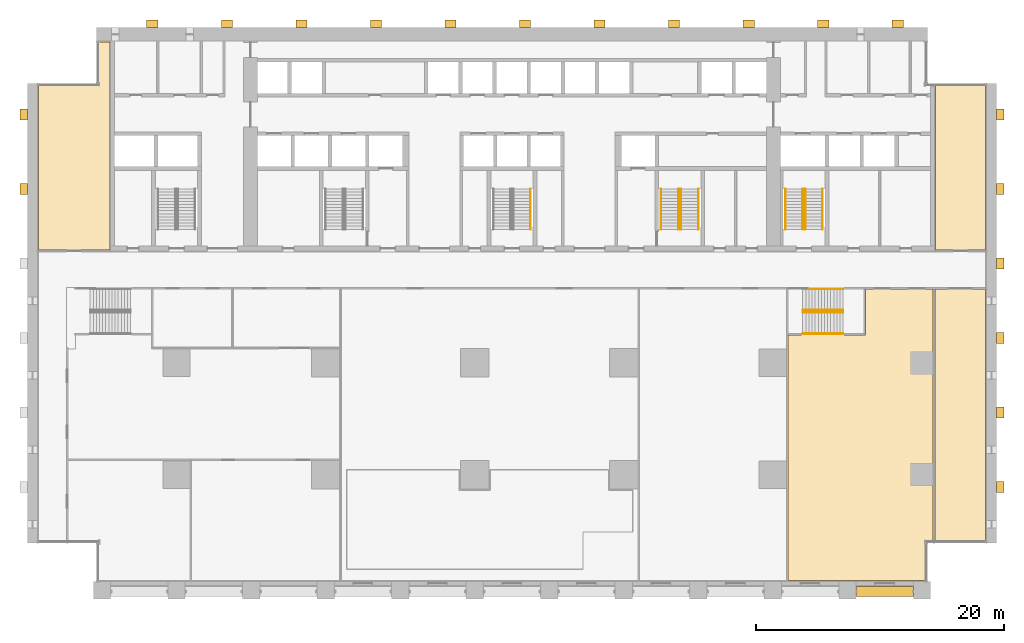
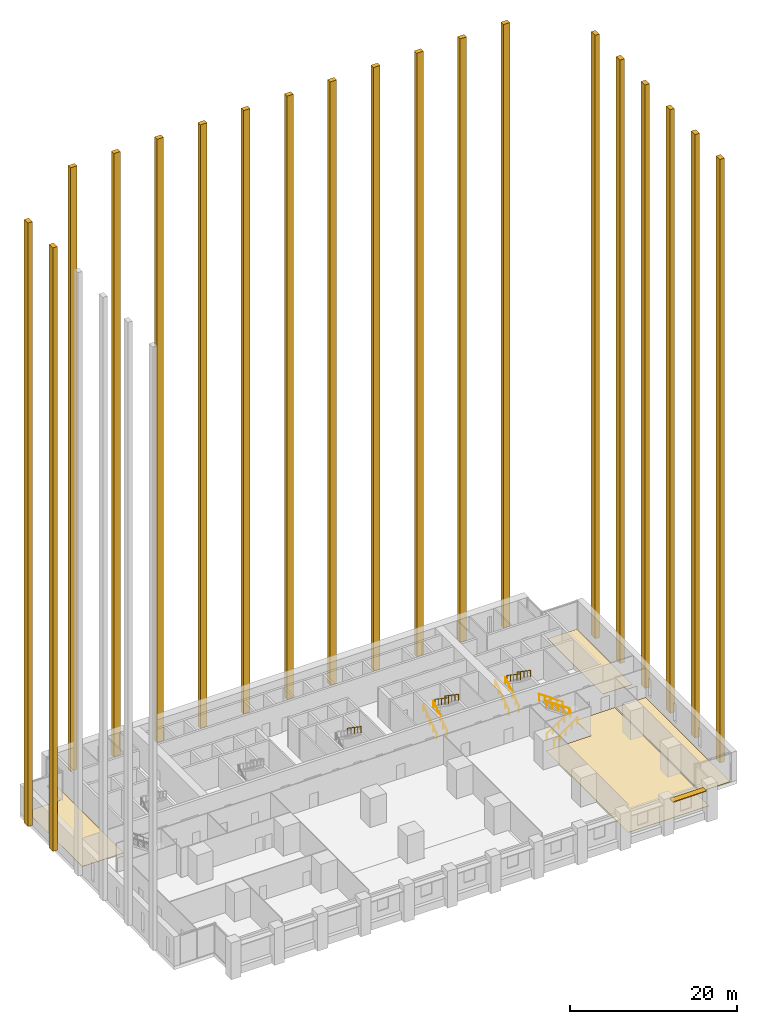
# One storey, part 17 of 17: 23 coverings, 13 railings, 1 shading device, 4 elements without a shape of their own.
"""IFC4 building model written with IfcOpenShell, lengths in metres."""

from ifc_helpers import new_model, si_unit, direction, frame, origin, origin_2d, place, context, subcontext, project, spatial, polyline, rectangle, circle, outline, extrude, material, layer, layer_set, material_profile, profile_set, type_object, element, aggregate, save


model = new_model("IFC4")

# Units and contexts
model_context = context("Model", 3, precision=1e-05, world=origin(), true_north=direction((0.0, 1.0)))
body_context = subcontext(model_context, "Body", "Model", "MODEL_VIEW")
ifc_project = project(units=[si_unit("LENGTHUNIT", "METRE"), si_unit("AREAUNIT", "SQUARE_METRE"), si_unit("VOLUMEUNIT", "CUBIC_METRE"), si_unit("PLANEANGLEUNIT", "RADIAN"), si_unit("MASSUNIT", "GRAM", prefix="KILO")], contexts=[model_context])

# Site, building, storey
site_placement = place(None, origin())
site = spatial("IfcSite", under=ifc_project, at=site_placement, CompositionType="ELEMENT")
building_placement = place(site_placement, origin())
building = spatial("IfcBuilding", under=site, at=building_placement, Name="Calvaro Tower", CompositionType="ELEMENT")
storey_placement = place(building_placement, frame((0.0, 0.0, 6.5)))
storey = spatial("IfcBuildingStorey", under=building, at=storey_placement, Name="L01", CompositionType="ELEMENT", Elevation=6.5)

# Shading device
ifc_material_1 = material(Name="Anodised aluminium", Category="aluminium")
ifc_material_profile = material_profile(ifc_material_1, rectangle(XDim=0.800048828125, YDim=0.10009765625, at=origin_2d()), Name="Brise-soleil blade 800 x 100")
ifc_profile_set = profile_set([ifc_material_profile], Name="Anodised aluminium")
shading_device_type = type_object("IfcShadingDeviceType", Name="Brise-soleil blade 800 x 100", PredefinedType="JALOUSIE", material=ifc_profile_set)
shading_device_placement = place(storey_placement, frame((66.699951171875, 0.60009765625, 3.35009765625), z_axis=(1.0, 0.0, 0.0), x_axis=(0.0, 1.0, 0.0)))
element("IfcShadingDevice", 1, at=shading_device_placement, inside=storey, type_object=shading_device_type, Name="Brise-soleil blade 11", PredefinedType="JALOUSIE", context=body_context, shape_type="SweptSolid", body=[
    extrude(rectangle(XDim=0.800048828125, YDim=0.10009765625, at=origin_2d()), origin(), (0.0, 0.0, 1.0), 4.60009765625),
])

# Coverings
ifc_material_2 = material(Name="Cement screed with carpet tile finish")
ifc_layer_1 = layer(ifc_material_2, 0.050048828125)
ifc_layer_set_1 = layer_set([ifc_layer_1], Name="Cement screed with carpet tile finish")
covering_type_1 = type_object("IfcCoveringType", Name="Floor finish 50", PredefinedType="FLOORING", material=ifc_layer_set_1)
covering_1_placement = place(storey_placement, origin())
element("IfcCovering", 2, at=covering_1_placement, inside=storey, type_object=covering_type_1, Name="Floor finish 04.04", PredefinedType="FLOORING", context=body_context, shape_type="SweptSolid", body=[
    extrude(outline(polyline([(72.3798828125, 4.570068359375), (72.3798828125, 1.469970703125), (61.219970703125, 1.469970703125), (61.219970703125, 21.22998046875), (67.469970703125, 21.22998046875), (67.469970703125, 24.929931640625), (72.89990234375, 24.929931640625), (72.89990234375, 4.570068359375), (72.3798828125, 4.570068359375)])), origin(), (0.0, 0.0, 1.0), 0.050048828125),
])
covering_2_placement = place(storey_placement, origin())
element("IfcCovering", 3, at=covering_2_placement, inside=storey, type_object=covering_type_1, Name="Floor finish 04.07", PredefinedType="FLOORING", context=body_context, shape_type="SweptSolid", body=[
    extrude(outline(polyline([(73.0400390625, 4.570068359375), (73.0400390625, 24.929931640625), (77.1298828125, 24.929931640625), (77.1298828125, 4.570068359375), (73.0400390625, 4.570068359375)])), origin(), (0.0, 0.0, 1.0), 0.050048828125),
])
covering_3_placement = place(storey_placement, origin())
element("IfcCovering", 4, at=covering_3_placement, inside=storey, type_object=covering_type_1, Name="Floor finish 04.14", PredefinedType="FLOORING", context=body_context, shape_type="SweptSolid", body=[
    extrude(outline(polyline([(0.8701171875, 28.070068359375), (0.8701171875, 41.429931640625), (5.6201171875, 41.429931640625), (5.6201171875, 44.830078125), (6.6298828125, 44.830078125), (6.6298828125, 28.070068359375), (0.8701171875, 28.070068359375)])), origin(), (0.0, 0.0, 1.0), 0.050048828125),
])
covering_4_placement = place(storey_placement, origin())
element("IfcCovering", 5, at=covering_4_placement, inside=storey, type_object=covering_type_1, Name="Floor finish 04.13", PredefinedType="FLOORING", context=body_context, shape_type="SweptSolid", body=[
    extrude(outline(polyline([(73.070068359375, 28.070068359375), (73.070068359375, 41.429931640625), (77.1298828125, 41.429931640625), (77.1298828125, 28.070068359375), (73.070068359375, 28.070068359375)])), origin(), (0.0, 0.0, 1.0), 0.050048828125),
])

# Stair, railing
ifc_material_3 = material(Name="Concrete C40/50", Category="concrete")
stair_type_1 = type_object("IfcStairType", Name="Exit stair 1400 2 flights", PredefinedType="HALF_TURN_STAIR", material=ifc_material_3)
stair_1_placement = place(storey_placement, origin())
stair_1 = element("IfcStair", 6, at=stair_1_placement, inside=storey, type_object=stair_type_1, Name="Exit stair S3", PredefinedType="HALF_TURN_STAIR")
ifc_material_4 = material(Name="Stainless steel", Category="steel")
railing_type = type_object("IfcRailingType", Name="Stair handrail", PredefinedType="HANDRAIL", material=ifc_material_4)
railing_1_placement = place(storey_placement, frame((40.5, 33.0, 2.571533203125)))
railing_1 = element("IfcRailing", 7, at=railing_1_placement, type_object=railing_type, Name="Exit stair 3 handrail", PredefinedType="HANDRAIL", context=body_context, shape_type="SweptSolid", body=[
    extrude(circle(Radius=0.02392578125, at=origin_2d()), frame((0.0, 0.0, 0.8759765625), z_axis=(0.0, -0.824735456578, 0.565518723531), x_axis=(1.0, 0.0, 0.0)), (0.0, 0.0, 1.0), 3.940673828125),
    extrude(circle(Radius=0.02099609375, at=origin_2d()), frame((0.0, -0.017333984375, 0.011962890625)), (0.0, 0.0, 1.0), 0.851806640625),
    extrude(circle(Radius=0.02099609375, at=origin_2d()), frame((0.0, -0.8125, 0.55712890625)), (0.0, 0.0, 1.0), 0.851806640625),
    extrude(circle(Radius=0.02099609375, at=origin_2d()), frame((0.0, -1.625, 1.1142578125)), (0.0, 0.0, 1.0), 0.851806640625),
    extrude(circle(Radius=0.02099609375, at=origin_2d()), frame((0.0, -2.4375, 1.67138671875)), (0.0, 0.0, 1.0), 0.851806640625),
    extrude(circle(Radius=0.02099609375, at=origin_2d()), frame((0.0, -3.232666015625, 2.216552734375)), (0.0, 0.0, 1.0), 0.851806640625),
])
aggregate(stair_1, [railing_1])

# Stair, railings
stair_2_placement = place(storey_placement, origin())
stair_2 = element("IfcStair", 8, at=stair_2_placement, inside=storey, type_object=stair_type_1, Name="Exit stair S4", PredefinedType="HALF_TURN_STAIR")
railing_2_placement = place(storey_placement, frame((52.39990234375, 29.75, 0.17138671875)))
railing_2 = element("IfcRailing", 9, at=railing_2_placement, type_object=railing_type, Name="Exit stair 4 handrail", PredefinedType="HANDRAIL", context=body_context, shape_type="SweptSolid", body=[
    extrude(circle(Radius=0.02392578125, at=origin_2d()), frame((0.0, 0.0, 0.8759765625), z_axis=(0.0, 0.824735456578, 0.565518723531), x_axis=(-1.0, 0.0, 0.0)), (0.0, 0.0, 1.0), 3.940673828125),
    extrude(circle(Radius=0.02099609375, at=origin_2d()), frame((0.0, 0.017333984375, 0.011962890625)), (0.0, 0.0, 1.0), 0.851806640625),
    extrude(circle(Radius=0.02099609375, at=origin_2d()), frame((0.0, 0.8125, 0.55712890625)), (0.0, 0.0, 1.0), 0.851806640625),
    extrude(circle(Radius=0.02099609375, at=origin_2d()), frame((0.0, 1.625, 1.1142578125)), (0.0, 0.0, 1.0), 0.851806640625),
    extrude(circle(Radius=0.02099609375, at=origin_2d()), frame((0.0, 2.4375, 1.67138671875)), (0.0, 0.0, 1.0), 0.851806640625),
    extrude(circle(Radius=0.02099609375, at=origin_2d()), frame((0.0, 3.232666015625, 2.216552734375)), (0.0, 0.0, 1.0), 0.851806640625),
])
railing_3_placement = place(storey_placement, frame((51.0, 29.75, 0.17138671875)))
railing_3 = element("IfcRailing", 10, at=railing_3_placement, type_object=railing_type, Name="Exit stair 4 handrail", PredefinedType="HANDRAIL", context=body_context, shape_type="SweptSolid", body=[
    extrude(circle(Radius=0.02392578125, at=origin_2d()), frame((0.0, 0.0, 0.8759765625), z_axis=(0.0, 0.824735456578, 0.565518723531), x_axis=(-1.0, 0.0, 0.0)), (0.0, 0.0, 1.0), 3.940673828125),
    extrude(circle(Radius=0.02099609375, at=origin_2d()), frame((0.0, 0.017333984375, 0.011962890625)), (0.0, 0.0, 1.0), 0.851806640625),
    extrude(circle(Radius=0.02099609375, at=origin_2d()), frame((0.0, 0.8125, 0.55712890625)), (0.0, 0.0, 1.0), 0.851806640625),
    extrude(circle(Radius=0.02099609375, at=origin_2d()), frame((0.0, 1.625, 1.1142578125)), (0.0, 0.0, 1.0), 0.851806640625),
    extrude(circle(Radius=0.02099609375, at=origin_2d()), frame((0.0, 2.4375, 1.67138671875)), (0.0, 0.0, 1.0), 0.851806640625),
    extrude(circle(Radius=0.02099609375, at=origin_2d()), frame((0.0, 3.232666015625, 2.216552734375)), (0.0, 0.0, 1.0), 0.851806640625),
])
railing_4_placement = place(storey_placement, frame((52.60009765625, 33.0, 2.571533203125)))
railing_4 = element("IfcRailing", 11, at=railing_4_placement, type_object=railing_type, Name="Exit stair 4 handrail", PredefinedType="HANDRAIL", context=body_context, shape_type="SweptSolid", body=[
    extrude(circle(Radius=0.02392578125, at=origin_2d()), frame((0.0, 0.0, 0.8759765625), z_axis=(0.0, -0.824735456578, 0.565518723531), x_axis=(1.0, 0.0, 0.0)), (0.0, 0.0, 1.0), 3.940673828125),
    extrude(circle(Radius=0.02099609375, at=origin_2d()), frame((0.0, -0.017333984375, 0.011962890625)), (0.0, 0.0, 1.0), 0.851806640625),
    extrude(circle(Radius=0.02099609375, at=origin_2d()), frame((0.0, -0.8125, 0.55712890625)), (0.0, 0.0, 1.0), 0.851806640625),
    extrude(circle(Radius=0.02099609375, at=origin_2d()), frame((0.0, -1.625, 1.1142578125)), (0.0, 0.0, 1.0), 0.851806640625),
    extrude(circle(Radius=0.02099609375, at=origin_2d()), frame((0.0, -2.4375, 1.67138671875)), (0.0, 0.0, 1.0), 0.851806640625),
    extrude(circle(Radius=0.02099609375, at=origin_2d()), frame((0.0, -3.232666015625, 2.216552734375)), (0.0, 0.0, 1.0), 0.851806640625),
])
railing_5_placement = place(storey_placement, frame((54.0, 33.0, 2.571533203125)))
railing_5 = element("IfcRailing", 12, at=railing_5_placement, type_object=railing_type, Name="Exit stair 4 handrail", PredefinedType="HANDRAIL", context=body_context, shape_type="SweptSolid", body=[
    extrude(circle(Radius=0.02392578125, at=origin_2d()), frame((0.0, 0.0, 0.8759765625), z_axis=(0.0, -0.824735456578, 0.565518723531), x_axis=(1.0, 0.0, 0.0)), (0.0, 0.0, 1.0), 3.940673828125),
    extrude(circle(Radius=0.02099609375, at=origin_2d()), frame((0.0, -0.017333984375, 0.011962890625)), (0.0, 0.0, 1.0), 0.851806640625),
    extrude(circle(Radius=0.02099609375, at=origin_2d()), frame((0.0, -0.8125, 0.55712890625)), (0.0, 0.0, 1.0), 0.851806640625),
    extrude(circle(Radius=0.02099609375, at=origin_2d()), frame((0.0, -1.625, 1.1142578125)), (0.0, 0.0, 1.0), 0.851806640625),
    extrude(circle(Radius=0.02099609375, at=origin_2d()), frame((0.0, -2.4375, 1.67138671875)), (0.0, 0.0, 1.0), 0.851806640625),
    extrude(circle(Radius=0.02099609375, at=origin_2d()), frame((0.0, -3.232666015625, 2.216552734375)), (0.0, 0.0, 1.0), 0.851806640625),
])
aggregate(stair_2, [railing_2, railing_3, railing_4, railing_5])

stair_3_placement = place(storey_placement, origin())
stair_3 = element("IfcStair", 13, at=stair_3_placement, inside=storey, type_object=stair_type_1, Name="Exit stair S5", PredefinedType="HALF_TURN_STAIR")
railing_6_placement = place(storey_placement, frame((62.39990234375, 29.75, 0.17138671875)))
railing_6 = element("IfcRailing", 14, at=railing_6_placement, type_object=railing_type, Name="Exit stair 5 handrail", PredefinedType="HANDRAIL", context=body_context, shape_type="SweptSolid", body=[
    extrude(circle(Radius=0.02392578125, at=origin_2d()), frame((0.0, 0.0, 0.8759765625), z_axis=(0.0, 0.824735456578, 0.565518723531), x_axis=(-1.0, 0.0, 0.0)), (0.0, 0.0, 1.0), 3.940673828125),
    extrude(circle(Radius=0.02099609375, at=origin_2d()), frame((0.0, 0.017333984375, 0.011962890625)), (0.0, 0.0, 1.0), 0.851806640625),
    extrude(circle(Radius=0.02099609375, at=origin_2d()), frame((0.0, 0.8125, 0.55712890625)), (0.0, 0.0, 1.0), 0.851806640625),
    extrude(circle(Radius=0.02099609375, at=origin_2d()), frame((0.0, 1.625, 1.1142578125)), (0.0, 0.0, 1.0), 0.851806640625),
    extrude(circle(Radius=0.02099609375, at=origin_2d()), frame((0.0, 2.4375, 1.67138671875)), (0.0, 0.0, 1.0), 0.851806640625),
    extrude(circle(Radius=0.02099609375, at=origin_2d()), frame((0.0, 3.232666015625, 2.216552734375)), (0.0, 0.0, 1.0), 0.851806640625),
])
railing_7_placement = place(storey_placement, frame((61.0, 29.75, 0.17138671875)))
railing_7 = element("IfcRailing", 15, at=railing_7_placement, type_object=railing_type, Name="Exit stair 5 handrail", PredefinedType="HANDRAIL", context=body_context, shape_type="SweptSolid", body=[
    extrude(circle(Radius=0.02392578125, at=origin_2d()), frame((0.0, 0.0, 0.8759765625), z_axis=(0.0, 0.824735456578, 0.565518723531), x_axis=(-1.0, 0.0, 0.0)), (0.0, 0.0, 1.0), 3.940673828125),
    extrude(circle(Radius=0.02099609375, at=origin_2d()), frame((0.0, 0.017333984375, 0.011962890625)), (0.0, 0.0, 1.0), 0.851806640625),
    extrude(circle(Radius=0.02099609375, at=origin_2d()), frame((0.0, 0.8125, 0.55712890625)), (0.0, 0.0, 1.0), 0.851806640625),
    extrude(circle(Radius=0.02099609375, at=origin_2d()), frame((0.0, 1.625, 1.1142578125)), (0.0, 0.0, 1.0), 0.851806640625),
    extrude(circle(Radius=0.02099609375, at=origin_2d()), frame((0.0, 2.4375, 1.67138671875)), (0.0, 0.0, 1.0), 0.851806640625),
    extrude(circle(Radius=0.02099609375, at=origin_2d()), frame((0.0, 3.232666015625, 2.216552734375)), (0.0, 0.0, 1.0), 0.851806640625),
])
railing_8_placement = place(storey_placement, frame((62.60009765625, 33.0, 2.571533203125)))
railing_8 = element("IfcRailing", 16, at=railing_8_placement, type_object=railing_type, Name="Exit stair 5 handrail", PredefinedType="HANDRAIL", context=body_context, shape_type="SweptSolid", body=[
    extrude(circle(Radius=0.02392578125, at=origin_2d()), frame((0.0, 0.0, 0.8759765625), z_axis=(0.0, -0.824735456578, 0.565518723531), x_axis=(1.0, 0.0, 0.0)), (0.0, 0.0, 1.0), 3.940673828125),
    extrude(circle(Radius=0.02099609375, at=origin_2d()), frame((0.0, -0.017333984375, 0.011962890625)), (0.0, 0.0, 1.0), 0.851806640625),
    extrude(circle(Radius=0.02099609375, at=origin_2d()), frame((0.0, -0.8125, 0.55712890625)), (0.0, 0.0, 1.0), 0.851806640625),
    extrude(circle(Radius=0.02099609375, at=origin_2d()), frame((0.0, -1.625, 1.1142578125)), (0.0, 0.0, 1.0), 0.851806640625),
    extrude(circle(Radius=0.02099609375, at=origin_2d()), frame((0.0, -2.4375, 1.67138671875)), (0.0, 0.0, 1.0), 0.851806640625),
    extrude(circle(Radius=0.02099609375, at=origin_2d()), frame((0.0, -3.232666015625, 2.216552734375)), (0.0, 0.0, 1.0), 0.851806640625),
])
railing_9_placement = place(storey_placement, frame((64.0, 33.0, 2.571533203125)))
railing_9 = element("IfcRailing", 17, at=railing_9_placement, type_object=railing_type, Name="Exit stair 5 handrail", PredefinedType="HANDRAIL", context=body_context, shape_type="SweptSolid", body=[
    extrude(circle(Radius=0.02392578125, at=origin_2d()), frame((0.0, 0.0, 0.8759765625), z_axis=(0.0, -0.824735456578, 0.565518723531), x_axis=(1.0, 0.0, 0.0)), (0.0, 0.0, 1.0), 3.940673828125),
    extrude(circle(Radius=0.02099609375, at=origin_2d()), frame((0.0, -0.017333984375, 0.011962890625)), (0.0, 0.0, 1.0), 0.851806640625),
    extrude(circle(Radius=0.02099609375, at=origin_2d()), frame((0.0, -0.8125, 0.55712890625)), (0.0, 0.0, 1.0), 0.851806640625),
    extrude(circle(Radius=0.02099609375, at=origin_2d()), frame((0.0, -1.625, 1.1142578125)), (0.0, 0.0, 1.0), 0.851806640625),
    extrude(circle(Radius=0.02099609375, at=origin_2d()), frame((0.0, -2.4375, 1.67138671875)), (0.0, 0.0, 1.0), 0.851806640625),
    extrude(circle(Radius=0.02099609375, at=origin_2d()), frame((0.0, -3.232666015625, 2.216552734375)), (0.0, 0.0, 1.0), 0.851806640625),
])
aggregate(stair_3, [railing_6, railing_7, railing_8, railing_9])

ifc_material_5 = material(Name="Concrete C40/50", Category="concrete")
stair_type_2 = type_object("IfcStairType", Name="Exit stair 1700 2 flights", PredefinedType="HALF_TURN_STAIR", material=ifc_material_5)
stair_4_placement = place(storey_placement, origin())
stair_4 = element("IfcStair", 18, at=stair_4_placement, inside=storey, type_object=stair_type_2, Name="Exit stair 7", PredefinedType="HALF_TURN_STAIR")
railing_10_placement = place(storey_placement, frame((62.39990234375, 23.050048828125, 0.17138671875)))
railing_10 = element("IfcRailing", 19, at=railing_10_placement, type_object=railing_type, Name="Exit stair 7 handrail", PredefinedType="HANDRAIL", context=body_context, shape_type="SweptSolid", body=[
    extrude(circle(Radius=0.02392578125, at=origin_2d()), frame((0.0, 0.0, 0.8759765625), z_axis=(0.824735456578, 0.0, 0.565518723531), x_axis=(0.0, 1.0, 0.0)), (0.0, 0.0, 1.0), 3.940673828125),
    extrude(circle(Radius=0.02099609375, at=origin_2d()), frame((0.017333984375, 0.0, 0.011962890625)), (0.0, 0.0, 1.0), 0.851806640625),
    extrude(circle(Radius=0.02099609375, at=origin_2d()), frame((0.8125, 0.0, 0.55712890625)), (0.0, 0.0, 1.0), 0.851806640625),
    extrude(circle(Radius=0.02099609375, at=origin_2d()), frame((1.625, 0.0, 1.1142578125)), (0.0, 0.0, 1.0), 0.851806640625),
    extrude(circle(Radius=0.02099609375, at=origin_2d()), frame((2.4375, 0.0, 1.67138671875)), (0.0, 0.0, 1.0), 0.851806640625),
    extrude(circle(Radius=0.02099609375, at=origin_2d()), frame((3.232666015625, 0.0, 2.216552734375)), (0.0, 0.0, 1.0), 0.851806640625),
])
railing_11_placement = place(storey_placement, frame((62.39990234375, 21.35009765625, 0.17138671875)))
railing_11 = element("IfcRailing", 20, at=railing_11_placement, type_object=railing_type, Name="Exit stair 7 handrail", PredefinedType="HANDRAIL", context=body_context, shape_type="SweptSolid", body=[
    extrude(circle(Radius=0.02392578125, at=origin_2d()), frame((0.0, 0.0, 0.8759765625), z_axis=(0.824735456578, 0.0, 0.565518723531), x_axis=(0.0, 1.0, 0.0)), (0.0, 0.0, 1.0), 3.940673828125),
    extrude(circle(Radius=0.02099609375, at=origin_2d()), frame((0.017333984375, 0.0, 0.011962890625)), (0.0, 0.0, 1.0), 0.851806640625),
    extrude(circle(Radius=0.02099609375, at=origin_2d()), frame((0.8125, 0.0, 0.55712890625)), (0.0, 0.0, 1.0), 0.851806640625),
    extrude(circle(Radius=0.02099609375, at=origin_2d()), frame((1.625, 0.0, 1.1142578125)), (0.0, 0.0, 1.0), 0.851806640625),
    extrude(circle(Radius=0.02099609375, at=origin_2d()), frame((2.4375, 0.0, 1.67138671875)), (0.0, 0.0, 1.0), 0.851806640625),
    extrude(circle(Radius=0.02099609375, at=origin_2d()), frame((3.232666015625, 0.0, 2.216552734375)), (0.0, 0.0, 1.0), 0.851806640625),
])
railing_12_placement = place(storey_placement, frame((65.64990234375, 23.25, 2.571533203125)))
railing_12 = element("IfcRailing", 21, at=railing_12_placement, type_object=railing_type, Name="Exit stair 7 handrail", PredefinedType="HANDRAIL", context=body_context, shape_type="SweptSolid", body=[
    extrude(circle(Radius=0.02392578125, at=origin_2d()), frame((0.0, 0.0, 0.8759765625), z_axis=(-0.824735456578, 0.0, 0.565518723531), x_axis=(0.0, -1.0, 0.0)), (0.0, 0.0, 1.0), 3.940673828125),
    extrude(circle(Radius=0.02099609375, at=origin_2d()), frame((-0.017333984375, 0.0, 0.011962890625)), (0.0, 0.0, 1.0), 0.851806640625),
    extrude(circle(Radius=0.02099609375, at=origin_2d()), frame((-0.8125, 0.0, 0.55712890625)), (0.0, 0.0, 1.0), 0.851806640625),
    extrude(circle(Radius=0.02099609375, at=origin_2d()), frame((-1.625, 0.0, 1.1142578125)), (0.0, 0.0, 1.0), 0.851806640625),
    extrude(circle(Radius=0.02099609375, at=origin_2d()), frame((-2.4375, 0.0, 1.67138671875)), (0.0, 0.0, 1.0), 0.851806640625),
    extrude(circle(Radius=0.02099609375, at=origin_2d()), frame((-3.232666015625, 0.0, 2.216552734375)), (0.0, 0.0, 1.0), 0.851806640625),
])
railing_13_placement = place(storey_placement, frame((65.64990234375, 24.949951171875, 2.571533203125)))
railing_13 = element("IfcRailing", 22, at=railing_13_placement, type_object=railing_type, Name="Exit stair 7 handrail", PredefinedType="HANDRAIL", context=body_context, shape_type="SweptSolid", body=[
    extrude(circle(Radius=0.02392578125, at=origin_2d()), frame((0.0, 0.0, 0.8759765625), z_axis=(-0.824735456578, 0.0, 0.565518723531), x_axis=(0.0, -1.0, 0.0)), (0.0, 0.0, 1.0), 3.940673828125),
    extrude(circle(Radius=0.02099609375, at=origin_2d()), frame((-0.017333984375, 0.0, 0.011962890625)), (0.0, 0.0, 1.0), 0.851806640625),
    extrude(circle(Radius=0.02099609375, at=origin_2d()), frame((-0.8125, 0.0, 0.55712890625)), (0.0, 0.0, 1.0), 0.851806640625),
    extrude(circle(Radius=0.02099609375, at=origin_2d()), frame((-1.625, 0.0, 1.1142578125)), (0.0, 0.0, 1.0), 0.851806640625),
    extrude(circle(Radius=0.02099609375, at=origin_2d()), frame((-2.4375, 0.0, 1.67138671875)), (0.0, 0.0, 1.0), 0.851806640625),
    extrude(circle(Radius=0.02099609375, at=origin_2d()), frame((-3.232666015625, 0.0, 2.216552734375)), (0.0, 0.0, 1.0), 0.851806640625),
])
aggregate(stair_4, [railing_10, railing_11, railing_12, railing_13])

# Coverings
ifc_material_6 = material(Name="Reconstituted stone", Category="masonry")
ifc_layer_2 = layer(ifc_material_6, 0.60009765625)
ifc_layer_set_2 = layer_set([ifc_layer_2], Name="Reconstituted stone")
covering_type_2 = type_object("IfcCoveringType", Name="Stone pilaster 900 x 600", PredefinedType="CLADDING", material=ifc_layer_set_2)
covering_5_placement = place(storey_placement, frame((0.0, 0.0, 0.050048828125)))
element("IfcCovering", 23, at=covering_5_placement, inside=storey, type_object=covering_type_2, Name="Stone pilaster", PredefinedType="CLADDING", context=body_context, shape_type="SweptSolid", body=[
    extrude(outline(polyline([(9.60009765625, 46.0), (10.5, 46.0), (10.5, 46.60009765625), (9.60009765625, 46.60009765625), (9.60009765625, 46.0)])), origin(), (0.0, 0.0, 1.0), 88.449951171875),
])
covering_6_placement = place(storey_placement, frame((0.0, 0.0, 0.050048828125)))
element("IfcCovering", 24, at=covering_6_placement, inside=storey, type_object=covering_type_2, Name="Stone pilaster", PredefinedType="CLADDING", context=body_context, shape_type="SweptSolid", body=[
    extrude(outline(polyline([(15.60009765625, 46.0), (16.5, 46.0), (16.5, 46.60009765625), (15.60009765625, 46.60009765625), (15.60009765625, 46.0)])), origin(), (0.0, 0.0, 1.0), 88.449951171875),
])
covering_7_placement = place(storey_placement, frame((0.0, 0.0, 0.050048828125)))
element("IfcCovering", 25, at=covering_7_placement, inside=storey, type_object=covering_type_2, Name="Stone pilaster", PredefinedType="CLADDING", context=body_context, shape_type="SweptSolid", body=[
    extrude(outline(polyline([(21.60009765625, 46.0), (22.5, 46.0), (22.5, 46.60009765625), (21.60009765625, 46.60009765625), (21.60009765625, 46.0)])), origin(), (0.0, 0.0, 1.0), 88.449951171875),
])
covering_8_placement = place(storey_placement, frame((0.0, 0.0, 0.050048828125)))
element("IfcCovering", 26, at=covering_8_placement, inside=storey, type_object=covering_type_2, Name="Stone pilaster", PredefinedType="CLADDING", context=body_context, shape_type="SweptSolid", body=[
    extrude(outline(polyline([(27.60009765625, 46.0), (28.5, 46.0), (28.5, 46.60009765625), (27.60009765625, 46.60009765625), (27.60009765625, 46.0)])), origin(), (0.0, 0.0, 1.0), 88.449951171875),
])
covering_9_placement = place(storey_placement, frame((0.0, 0.0, 0.050048828125)))
element("IfcCovering", 27, at=covering_9_placement, inside=storey, type_object=covering_type_2, Name="Stone pilaster", PredefinedType="CLADDING", context=body_context, shape_type="SweptSolid", body=[
    extrude(outline(polyline([(33.60009765625, 46.0), (34.5, 46.0), (34.5, 46.60009765625), (33.60009765625, 46.60009765625), (33.60009765625, 46.0)])), origin(), (0.0, 0.0, 1.0), 88.449951171875),
])
covering_10_placement = place(storey_placement, frame((0.0, 0.0, 0.050048828125)))
element("IfcCovering", 28, at=covering_10_placement, inside=storey, type_object=covering_type_2, Name="Stone pilaster", PredefinedType="CLADDING", context=body_context, shape_type="SweptSolid", body=[
    extrude(outline(polyline([(39.60009765625, 46.0), (40.5, 46.0), (40.5, 46.60009765625), (39.60009765625, 46.60009765625), (39.60009765625, 46.0)])), origin(), (0.0, 0.0, 1.0), 88.449951171875),
])
covering_11_placement = place(storey_placement, frame((0.0, 0.0, 0.050048828125)))
element("IfcCovering", 29, at=covering_11_placement, inside=storey, type_object=covering_type_2, Name="Stone pilaster", PredefinedType="CLADDING", context=body_context, shape_type="SweptSolid", body=[
    extrude(outline(polyline([(45.60009765625, 46.0), (46.5, 46.0), (46.5, 46.60009765625), (45.60009765625, 46.60009765625), (45.60009765625, 46.0)])), origin(), (0.0, 0.0, 1.0), 88.449951171875),
])
covering_12_placement = place(storey_placement, frame((0.0, 0.0, 0.050048828125)))
element("IfcCovering", 30, at=covering_12_placement, inside=storey, type_object=covering_type_2, Name="Stone pilaster", PredefinedType="CLADDING", context=body_context, shape_type="SweptSolid", body=[
    extrude(outline(polyline([(51.60009765625, 46.0), (52.5, 46.0), (52.5, 46.60009765625), (51.60009765625, 46.60009765625), (51.60009765625, 46.0)])), origin(), (0.0, 0.0, 1.0), 88.449951171875),
])
covering_13_placement = place(storey_placement, frame((0.0, 0.0, 0.050048828125)))
element("IfcCovering", 31, at=covering_13_placement, inside=storey, type_object=covering_type_2, Name="Stone pilaster", PredefinedType="CLADDING", context=body_context, shape_type="SweptSolid", body=[
    extrude(outline(polyline([(57.60009765625, 46.0), (58.5, 46.0), (58.5, 46.60009765625), (57.60009765625, 46.60009765625), (57.60009765625, 46.0)])), origin(), (0.0, 0.0, 1.0), 88.449951171875),
])
covering_14_placement = place(storey_placement, frame((0.0, 0.0, 0.050048828125)))
element("IfcCovering", 32, at=covering_14_placement, inside=storey, type_object=covering_type_2, Name="Stone pilaster", PredefinedType="CLADDING", context=body_context, shape_type="SweptSolid", body=[
    extrude(outline(polyline([(63.60009765625, 46.0), (64.5, 46.0), (64.5, 46.60009765625), (63.60009765625, 46.60009765625), (63.60009765625, 46.0)])), origin(), (0.0, 0.0, 1.0), 88.449951171875),
])
covering_15_placement = place(storey_placement, frame((0.0, 0.0, 0.050048828125)))
element("IfcCovering", 33, at=covering_15_placement, inside=storey, type_object=covering_type_2, Name="Stone pilaster", PredefinedType="CLADDING", context=body_context, shape_type="SweptSolid", body=[
    extrude(outline(polyline([(69.60009765625, 46.0), (70.5, 46.0), (70.5, 46.60009765625), (69.60009765625, 46.60009765625), (69.60009765625, 46.0)])), origin(), (0.0, 0.0, 1.0), 88.449951171875),
])
covering_16_placement = place(storey_placement, frame((0.0, 0.0, 0.050048828125)))
element("IfcCovering", 34, at=covering_16_placement, inside=storey, type_object=covering_type_2, Name="Stone pilaster", PredefinedType="CLADDING", context=body_context, shape_type="SweptSolid", body=[
    extrude(outline(polyline([(-0.60009765625, 32.550048828125), (0.0, 32.550048828125), (0.0, 33.449951171875), (-0.60009765625, 33.449951171875), (-0.60009765625, 32.550048828125)])), origin(), (0.0, 0.0, 1.0), 88.449951171875),
])
covering_17_placement = place(storey_placement, frame((0.0, 0.0, 0.050048828125)))
element("IfcCovering", 35, at=covering_17_placement, inside=storey, type_object=covering_type_2, Name="Stone pilaster", PredefinedType="CLADDING", context=body_context, shape_type="SweptSolid", body=[
    extrude(outline(polyline([(-0.60009765625, 38.550048828125), (0.0, 38.550048828125), (0.0, 39.449951171875), (-0.60009765625, 39.449951171875), (-0.60009765625, 38.550048828125)])), origin(), (0.0, 0.0, 1.0), 88.449951171875),
])
covering_18_placement = place(storey_placement, frame((0.0, 0.0, 0.050048828125)))
element("IfcCovering", 36, at=covering_18_placement, inside=storey, type_object=covering_type_2, Name="Stone pilaster", PredefinedType="CLADDING", context=body_context, shape_type="SweptSolid", body=[
    extrude(outline(polyline([(78.0, 8.550048828125), (78.60009765625, 8.550048828125), (78.60009765625, 9.449951171875), (78.0, 9.449951171875), (78.0, 8.550048828125)])), origin(), (0.0, 0.0, 1.0), 88.449951171875),
])
covering_19_placement = place(storey_placement, frame((0.0, 0.0, 0.050048828125)))
element("IfcCovering", 37, at=covering_19_placement, inside=storey, type_object=covering_type_2, Name="Stone pilaster", PredefinedType="CLADDING", context=body_context, shape_type="SweptSolid", body=[
    extrude(outline(polyline([(78.0, 14.550048828125), (78.60009765625, 14.550048828125), (78.60009765625, 15.449951171875), (78.0, 15.449951171875), (78.0, 14.550048828125)])), origin(), (0.0, 0.0, 1.0), 88.449951171875),
])
covering_20_placement = place(storey_placement, frame((0.0, 0.0, 0.050048828125)))
element("IfcCovering", 38, at=covering_20_placement, inside=storey, type_object=covering_type_2, Name="Stone pilaster", PredefinedType="CLADDING", context=body_context, shape_type="SweptSolid", body=[
    extrude(outline(polyline([(78.0, 20.550048828125), (78.60009765625, 20.550048828125), (78.60009765625, 21.449951171875), (78.0, 21.449951171875), (78.0, 20.550048828125)])), origin(), (0.0, 0.0, 1.0), 88.449951171875),
])
covering_21_placement = place(storey_placement, frame((0.0, 0.0, 0.050048828125)))
element("IfcCovering", 39, at=covering_21_placement, inside=storey, type_object=covering_type_2, Name="Stone pilaster", PredefinedType="CLADDING", context=body_context, shape_type="SweptSolid", body=[
    extrude(outline(polyline([(78.0, 26.550048828125), (78.60009765625, 26.550048828125), (78.60009765625, 27.449951171875), (78.0, 27.449951171875), (78.0, 26.550048828125)])), origin(), (0.0, 0.0, 1.0), 88.449951171875),
])
covering_22_placement = place(storey_placement, frame((0.0, 0.0, 0.050048828125)))
element("IfcCovering", 40, at=covering_22_placement, inside=storey, type_object=covering_type_2, Name="Stone pilaster", PredefinedType="CLADDING", context=body_context, shape_type="SweptSolid", body=[
    extrude(outline(polyline([(78.0, 32.550048828125), (78.60009765625, 32.550048828125), (78.60009765625, 33.449951171875), (78.0, 33.449951171875), (78.0, 32.550048828125)])), origin(), (0.0, 0.0, 1.0), 88.449951171875),
])
covering_23_placement = place(storey_placement, frame((0.0, 0.0, 0.050048828125)))
element("IfcCovering", 41, at=covering_23_placement, inside=storey, type_object=covering_type_2, Name="Stone pilaster", PredefinedType="CLADDING", context=body_context, shape_type="SweptSolid", body=[
    extrude(outline(polyline([(78.0, 38.550048828125), (78.60009765625, 38.550048828125), (78.60009765625, 39.449951171875), (78.0, 39.449951171875), (78.0, 38.550048828125)])), origin(), (0.0, 0.0, 1.0), 88.449951171875),
])

save(model, "model.ifc")
